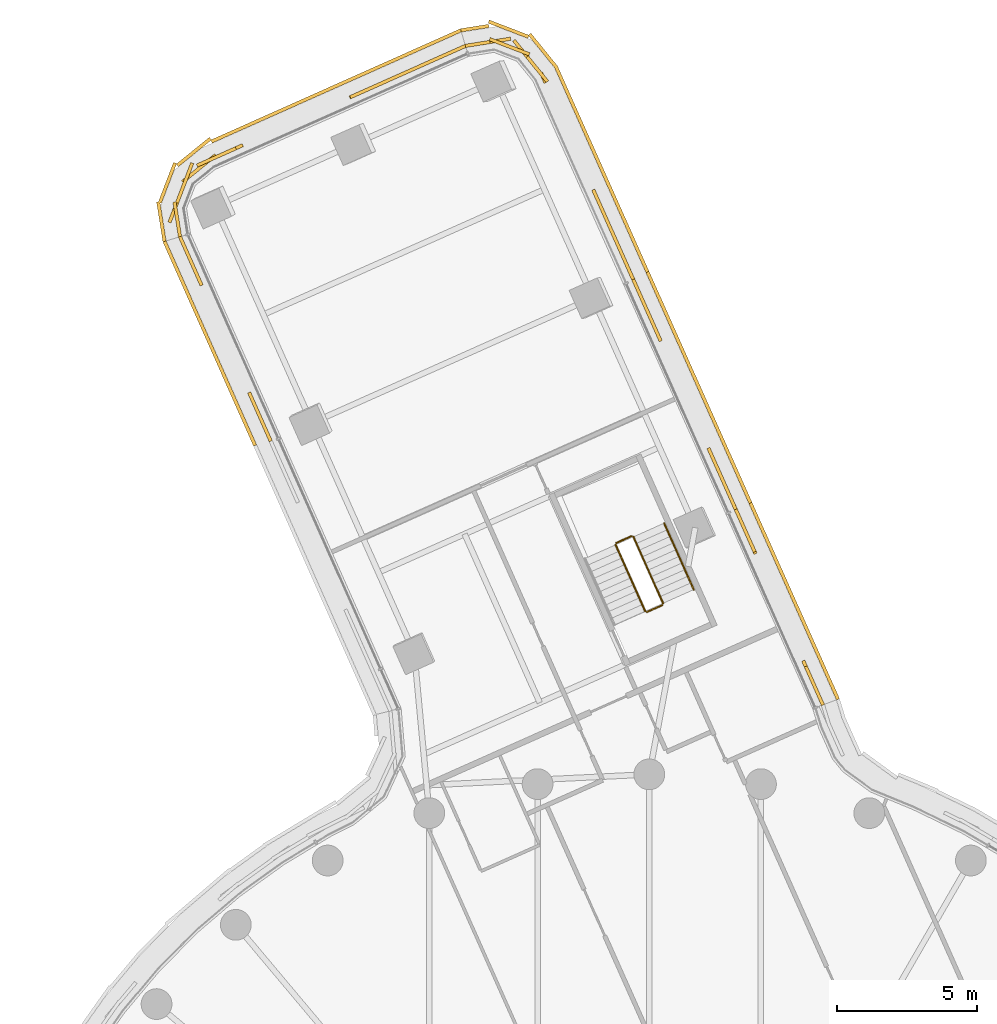
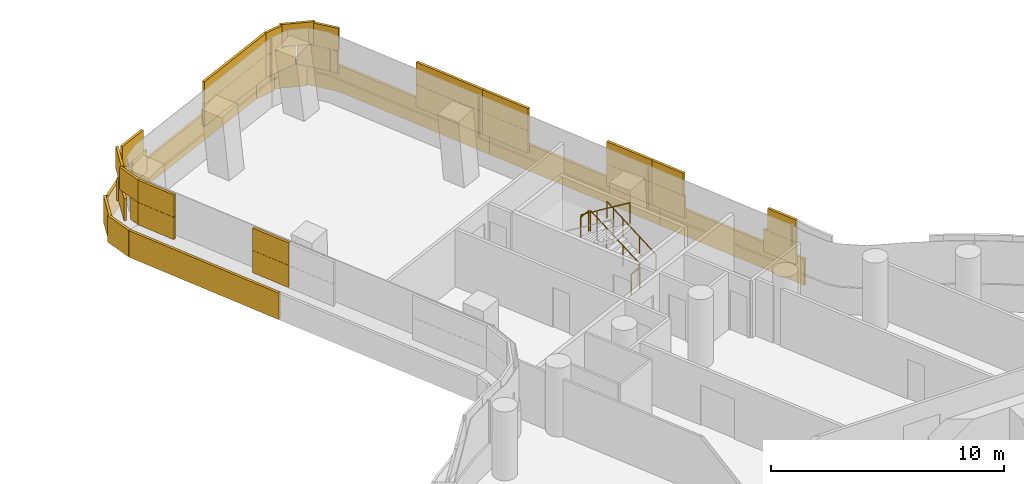
# One storey, part 34 of 35: 5 coverings, 5 railings.
"""IFC4 building model written with IfcOpenShell, lengths in metres."""

from ifc_helpers import new_model, si_unit, direction, frame, origin, origin_2d, place, context, subcontext, project, spatial, rectangle, circle, extrude, material, layer, layer_set, type_object, element, save


model = new_model("IFC4")

# Units and contexts
model_context = context("Model", 3, precision=1e-05, world=origin(), true_north=direction((0.0, 1.0)))
body_context = subcontext(model_context, "Body", "Model", "MODEL_VIEW")
ifc_project = project(units=[si_unit("LENGTHUNIT", "METRE"), si_unit("AREAUNIT", "SQUARE_METRE"), si_unit("VOLUMEUNIT", "CUBIC_METRE"), si_unit("PLANEANGLEUNIT", "RADIAN"), si_unit("MASSUNIT", "GRAM", prefix="KILO")], contexts=[model_context])

# Site, building, storey
site_placement = place(None, origin())
site = spatial("IfcSite", under=ifc_project, at=site_placement, CompositionType="ELEMENT")
building_placement = place(site_placement, origin())
building = spatial("IfcBuilding", under=site, at=building_placement, Name="Tamarind Cross Interchange Tower", CompositionType="ELEMENT")
storey_placement = place(building_placement, frame((0.0, 0.0, 121.0)))
storey = spatial("IfcBuildingStorey", under=building, at=storey_placement, Name="L29", CompositionType="ELEMENT", Elevation=121.0)

# Railings
ifc_material_1 = material(Name="Stair guard")
railing_type_1 = type_object("IfcRailingType", Name="Stair guard", PredefinedType="GUARDRAIL", material=ifc_material_1)
railing_1_placement = place(storey_placement, frame((0.494140625, 29.1181640625, 0.17041015625)))
element("IfcRailing", 1, at=railing_1_placement, inside=storey, type_object=railing_type_1, Name="L29 ST4 stair guard 1", PredefinedType="GUARDRAIL", context=body_context, shape_type="SweptSolid", body=[
    extrude(circle(Radius=0.02392578125, at=origin_2d()), frame((0.0, 0.0, 1.076171875), z_axis=(-0.340565711591, 0.763818924751, 0.548266036045), x_axis=(-0.913326899463, -0.407227178264, 0.0)), (0.0, 0.0, 1.0), 3.109130859375),
    extrude(circle(Radius=0.02099609375, at=origin_2d()), origin(), (0.0, 0.0, 1.0), 1.052001953125),
    extrude(circle(Radius=0.02099609375, at=origin_2d()), frame((-0.35302734375, 0.79150390625, 0.568115234375)), (0.0, 0.0, 1.0), 1.052001953125),
    extrude(circle(Radius=0.02099609375, at=origin_2d()), frame((-0.705810546875, 1.583251953125, 1.136474609375)), (0.0, 0.0, 1.0), 1.052001953125),
    extrude(circle(Radius=0.02099609375, at=origin_2d()), frame((-1.058837890625, 2.374755859375, 1.70458984375)), (0.0, 0.0, 1.0), 1.052001953125),
])
railing_2_placement = place(storey_placement, frame((-0.630615234375, 31.51806640625, 1.875)))
element("IfcRailing", 2, at=railing_2_placement, inside=storey, type_object=railing_type_1, Name="L29 ST4 stair guard 2", PredefinedType="GUARDRAIL", context=body_context, shape_type="SweptSolid", body=[
    extrude(circle(Radius=0.02392578125, at=origin_2d()), frame((0.0, 0.0, 1.076171875), z_axis=(-0.913324379404, -0.407232830193, 0.0), x_axis=(0.407232830193, -0.913324379404, 0.0)), (0.0, 0.0, 1.0), 0.60009765625),
    extrude(circle(Radius=0.02099609375, at=origin_2d()), origin(), (0.0, 0.0, 1.0), 1.052001953125),
    extrude(circle(Radius=0.02099609375, at=origin_2d()), frame((-0.548095703125, -0.244384765625, 0.0)), (0.0, 0.0, 1.0), 1.052001953125),
])
railing_3_placement = place(storey_placement, frame((-1.203857421875, 31.207763671875, 2.04541015625)))
element("IfcRailing", 3, at=railing_3_placement, inside=storey, type_object=railing_type_1, Name="L29 ST4 stair guard 3", PredefinedType="GUARDRAIL", context=body_context, shape_type="SweptSolid", body=[
    extrude(circle(Radius=0.02392578125, at=origin_2d()), frame((0.0, 0.0, 1.076171875), z_axis=(0.340496290961, -0.763839350133, 0.548280697299), x_axis=(0.913361820343, 0.407148848875, 0.0)), (0.0, 0.0, 1.0), 3.10888671875),
    extrude(circle(Radius=0.02099609375, at=origin_2d()), origin(), (0.0, 0.0, 1.0), 1.052001953125),
    extrude(circle(Radius=0.02099609375, at=origin_2d()), frame((0.352783203125, -0.79150390625, 0.568115234375)), (0.0, 0.0, 1.0), 1.052001953125),
    extrude(circle(Radius=0.02099609375, at=origin_2d()), frame((0.705810546875, -1.583251953125, 1.136474609375)), (0.0, 0.0, 1.0), 1.052001953125),
    extrude(circle(Radius=0.02099609375, at=origin_2d()), frame((1.05859375, -2.374755859375, 1.70458984375)), (0.0, 0.0, 1.0), 1.052001953125),
])
railing_4_placement = place(storey_placement, frame((0.46875, 29.05224609375, 0.0)))
element("IfcRailing", 4, at=railing_4_placement, inside=storey, type_object=railing_type_1, Name="L29 ST4 stair guard 4", PredefinedType="GUARDRAIL", context=body_context, shape_type="SweptSolid", body=[
    extrude(circle(Radius=0.02392578125, at=origin_2d()), frame((0.0, 0.0, 1.076171875), z_axis=(-0.913256874337, -0.407384193945, 0.0), x_axis=(0.407384193945, -0.913256874337, 0.0)), (0.0, 0.0, 1.0), 0.599853515625),
    extrude(circle(Radius=0.02099609375, at=origin_2d()), origin(), (0.0, 0.0, 1.0), 1.052001953125),
    extrude(circle(Radius=0.02099609375, at=origin_2d()), frame((-0.5478515625, -0.244384765625, 0.0)), (0.0, 0.0, 1.0), 1.052001953125),
])
ifc_material_2 = material(Name="Stair handrail")
railing_type_2 = type_object("IfcRailingType", Name="Stair handrail", PredefinedType="HANDRAIL", material=ifc_material_2)
railing_5_placement = place(storey_placement, frame((1.590087890625, 29.60693359375, 0.17041015625)))
element("IfcRailing", 5, at=railing_5_placement, inside=storey, type_object=railing_type_2, Name="L29 ST4 stair handrail 1", PredefinedType="HANDRAIL", context=body_context, shape_type="SweptSolid", body=[
    extrude(circle(Radius=0.02392578125, at=origin_2d()), frame((0.0, 0.0, 0.8759765625), z_axis=(-0.340516715594, 0.763806636502, 0.548313585858), x_axis=(-0.913346252579, -0.407183770428, 0.0)), (0.0, 0.0, 1.0), 3.10888671875),
    extrude(circle(Radius=0.02099609375, at=origin_2d()), origin(), (0.0, 0.0, 1.0), 0.851806640625),
    extrude(circle(Radius=0.02099609375, at=origin_2d()), frame((-0.352783203125, 0.79150390625, 0.568115234375)), (0.0, 0.0, 1.0), 0.851806640625),
    extrude(circle(Radius=0.02099609375, at=origin_2d()), frame((-0.705810546875, 1.5830078125, 1.136474609375)), (0.0, 0.0, 1.0), 0.851806640625),
    extrude(circle(Radius=0.02099609375, at=origin_2d()), frame((-1.05859375, 2.37451171875, 1.70458984375)), (0.0, 0.0, 1.0), 0.851806640625),
])

# Coverings
ifc_material_3 = material(Name="Terracotta", Category="masonry")
ifc_layer = layer(ifc_material_3, 0.1201171875)
ifc_layer_set = layer_set([ifc_layer], Name="Terracotta")
covering_type = type_object("IfcCoveringType", Name="Terracotta baguette screen unit", PredefinedType="MOLDING", material=ifc_layer_set)
covering_1_placement = place(storey_placement, origin())
element("IfcCovering", 6, at=covering_1_placement, inside=storey, type_object=covering_type, Name="SCR-L29-11-00", PredefinedType="MOLDING", context=body_context, shape_type="SweptSolid", body=[
    extrude(rectangle(XDim=0.760009765625, YDim=0.1201171875, at=origin_2d()), frame((6.056884765625, 25.825927734375, 1.404052734375), z_axis=(0.0, 0.0, 1.0), x_axis=(-0.407221294835, 0.913329522698, 0.0)), (0.0, 0.0, 1.0), 1.1669921875),
    extrude(rectangle(XDim=0.983642578125, YDim=0.1201171875, at=origin_2d()), frame((5.7060546875, 26.613037109375, 1.404052734375), z_axis=(0.0, 0.0, 1.0), x_axis=(-0.407221294835, 0.913329522698, 0.0)), (0.0, 0.0, 1.0), 1.1669921875),
    extrude(rectangle(XDim=0.83642578125, YDim=0.1201171875, at=origin_2d()), frame((3.629150390625, 31.27099609375, 1.404052734375), z_axis=(0.0, 0.0, 1.0), x_axis=(-0.407221294835, 0.913329522698, 0.0)), (0.0, 0.0, 1.0), 1.1669921875),
    extrude(rectangle(XDim=0.906982421875, YDim=0.1201171875, at=origin_2d()), frame((3.2783203125, 32.05810546875, 1.404052734375), z_axis=(0.0, 0.0, 1.0), x_axis=(-0.407221294835, 0.913329522698, 0.0)), (0.0, 0.0, 1.0), 1.1669921875),
    extrude(rectangle(XDim=1.510009765625, YDim=0.1201171875, at=origin_2d()), frame((5.904296875, 26.16845703125, 2.5791015625), z_axis=(0.0, 0.0, 1.0), x_axis=(-0.407221294835, 0.913329522698, 0.0)), (0.0, 0.0, 1.0), 1.1669921875),
    extrude(rectangle(XDim=1.52001953125, YDim=0.1201171875, at=origin_2d()), frame((3.4609375, 31.6484375, 2.5791015625), z_axis=(0.0, 0.0, 1.0), x_axis=(-0.407221294835, 0.913329522698, 0.0)), (0.0, 0.0, 1.0), 1.1669921875),
    extrude(rectangle(XDim=0.156982421875, YDim=0.1201171875, at=origin_2d()), frame((3.12548828125, 32.400634765625, 2.5791015625), z_axis=(0.0, 0.0, 1.0), x_axis=(-0.407221294835, 0.913329522698, 0.0)), (0.0, 0.0, 1.0), 1.1669921875),
    extrude(rectangle(XDim=0.760009765625, YDim=0.1201171875, at=origin_2d()), frame((6.59326171875, 26.03271484375, 0.00390625), z_axis=(0.0, 0.0, 1.0), x_axis=(-0.407221294835, 0.913329522698, 0.0)), (0.0, 0.0, 1.0), 1.39208984375),
    extrude(rectangle(XDim=1.52001953125, YDim=0.1201171875, at=origin_2d()), frame((6.13720703125, 27.0556640625, 0.00390625), z_axis=(0.0, 0.0, 1.0), x_axis=(-0.407221294835, 0.913329522698, 0.0)), (0.0, 0.0, 1.0), 1.39208984375),
    extrude(rectangle(XDim=1.52001953125, YDim=0.1201171875, at=origin_2d()), frame((5.5263671875, 28.425537109375, 0.00390625), z_axis=(0.0, 0.0, 1.0), x_axis=(-0.407221294835, 0.913329522698, 0.0)), (0.0, 0.0, 1.0), 1.39208984375),
    extrude(rectangle(XDim=1.52001953125, YDim=0.1201171875, at=origin_2d()), frame((4.91552734375, 29.795654296875, 0.00390625), z_axis=(0.0, 0.0, 1.0), x_axis=(-0.407221294835, 0.913329522698, 0.0)), (0.0, 0.0, 1.0), 1.39208984375),
    extrude(rectangle(XDim=1.52001953125, YDim=0.1201171875, at=origin_2d()), frame((4.3046875, 31.16552734375, 0.00390625), z_axis=(0.0, 0.0, 1.0), x_axis=(-0.407221294835, 0.913329522698, 0.0)), (0.0, 0.0, 1.0), 1.39208984375),
    extrude(rectangle(XDim=0.941162109375, YDim=0.1201171875, at=origin_2d()), frame((3.811767578125, 32.271240234375, 0.00390625), z_axis=(0.0, 0.0, 1.0), x_axis=(-0.407221294835, 0.913329522698, 0.0)), (0.0, 0.0, 1.0), 1.39208984375),
])
covering_2_placement = place(storey_placement, origin())
element("IfcCovering", 7, at=covering_2_placement, inside=storey, type_object=covering_type, Name="SCR-L29-11-01", PredefinedType="MOLDING", context=body_context, shape_type="SweptSolid", body=[
    extrude(rectangle(XDim=0.613037109375, YDim=0.1201171875, at=origin_2d()), frame((2.972900390625, 32.7431640625, 1.404052734375), z_axis=(0.0, 0.0, 1.0), x_axis=(-0.407221294835, 0.913329522698, 0.0)), (0.0, 0.0, 1.0), 1.1669921875),
    extrude(rectangle(XDim=1.52001953125, YDim=0.1201171875, at=origin_2d()), frame((2.544677734375, 33.703369140625, 1.404052734375), z_axis=(0.0, 0.0, 1.0), x_axis=(-0.407221294835, 0.913329522698, 0.0)), (0.0, 0.0, 1.0), 1.1669921875),
    extrude(rectangle(XDim=0.310302734375, YDim=0.1201171875, at=origin_2d()), frame((2.17822265625, 34.525634765625, 1.404052734375), z_axis=(0.0, 0.0, 1.0), x_axis=(-0.407221294835, 0.913329522698, 0.0)), (0.0, 0.0, 1.0), 1.1669921875),
    extrude(rectangle(XDim=1.509765625, YDim=0.1201171875, at=origin_2d()), frame((0.101318359375, 39.18359375, 1.404052734375), z_axis=(0.0, 0.0, 1.0), x_axis=(-0.407221294835, 0.913329522698, 0.0)), (0.0, 0.0, 1.0), 1.1669921875),
    extrude(rectangle(XDim=0.913330078125, YDim=0.1201171875, at=origin_2d()), frame((-0.387939453125, 40.281005859375, 1.404052734375), z_axis=(0.0, 0.0, 1.0), x_axis=(-0.407221294835, 0.913329522698, 0.0)), (0.0, 0.0, 1.0), 1.1669921875),
    extrude(rectangle(XDim=1.363037109375, YDim=0.1201171875, at=origin_2d()), frame((2.820068359375, 33.085693359375, 2.5791015625), z_axis=(0.0, 0.0, 1.0), x_axis=(-0.407221294835, 0.913329522698, 0.0)), (0.0, 0.0, 1.0), 1.1669921875),
    extrude(rectangle(XDim=1.060302734375, YDim=0.1201171875, at=origin_2d()), frame((2.330810546875, 34.18310546875, 2.5791015625), z_axis=(0.0, 0.0, 1.0), x_axis=(-0.407221294835, 0.913329522698, 0.0)), (0.0, 0.0, 1.0), 1.1669921875),
    extrude(rectangle(XDim=0.759765625, YDim=0.1201171875, at=origin_2d()), frame((0.25390625, 38.841064453125, 2.5791015625), z_axis=(0.0, 0.0, 1.0), x_axis=(-0.407221294835, 0.913329522698, 0.0)), (0.0, 0.0, 1.0), 1.1669921875),
    extrude(rectangle(XDim=1.52001953125, YDim=0.1201171875, at=origin_2d()), frame((-0.2041015625, 39.868408203125, 2.5791015625), z_axis=(0.0, 0.0, 1.0), x_axis=(-0.407221294835, 0.913329522698, 0.0)), (0.0, 0.0, 1.0), 1.1669921875),
    extrude(rectangle(XDim=0.163330078125, YDim=0.1201171875, at=origin_2d()), frame((-0.540771484375, 40.62353515625, 2.5791015625), z_axis=(0.0, 0.0, 1.0), x_axis=(-0.407221294835, 0.913329522698, 0.0)), (0.0, 0.0, 1.0), 1.1669921875),
    extrude(rectangle(XDim=0.578857421875, YDim=0.1201171875, at=origin_2d()), frame((3.502197265625, 32.96533203125, 0.00390625), z_axis=(0.0, 0.0, 1.0), x_axis=(-0.407221294835, 0.913329522698, 0.0)), (0.0, 0.0, 1.0), 1.39208984375),
    extrude(rectangle(XDim=1.52001953125, YDim=0.1201171875, at=origin_2d()), frame((3.0830078125, 33.905517578125, 0.00390625), z_axis=(0.0, 0.0, 1.0), x_axis=(-0.407221294835, 0.913329522698, 0.0)), (0.0, 0.0, 1.0), 1.39208984375),
    extrude(rectangle(XDim=1.52001953125, YDim=0.1201171875, at=origin_2d()), frame((2.47216796875, 35.275634765625, 0.00390625), z_axis=(0.0, 0.0, 1.0), x_axis=(-0.407221294835, 0.913329522698, 0.0)), (0.0, 0.0, 1.0), 1.39208984375),
    extrude(rectangle(XDim=1.52001953125, YDim=0.1201171875, at=origin_2d()), frame((1.861328125, 36.6455078125, 0.00390625), z_axis=(0.0, 0.0, 1.0), x_axis=(-0.407221294835, 0.913329522698, 0.0)), (0.0, 0.0, 1.0), 1.39208984375),
    extrude(rectangle(XDim=1.52001953125, YDim=0.1201171875, at=origin_2d()), frame((1.25048828125, 38.015625, 0.00390625), z_axis=(0.0, 0.0, 1.0), x_axis=(-0.407221294835, 0.913329522698, 0.0)), (0.0, 0.0, 1.0), 1.39208984375),
    extrude(rectangle(XDim=1.52001953125, YDim=0.1201171875, at=origin_2d()), frame((0.6396484375, 39.385498046875, 0.00390625), z_axis=(0.0, 0.0, 1.0), x_axis=(-0.407221294835, 0.913329522698, 0.0)), (0.0, 0.0, 1.0), 1.39208984375),
    extrude(rectangle(XDim=0.98779296875, YDim=0.1201171875, at=origin_2d()), frame((0.13720703125, 40.512451171875, 0.00390625), z_axis=(0.0, 0.0, 1.0), x_axis=(-0.407221294835, 0.913329522698, 0.0)), (0.0, 0.0, 1.0), 1.39208984375),
])
covering_3_placement = place(storey_placement, origin())
element("IfcCovering", 8, at=covering_3_placement, inside=storey, type_object=covering_type, Name="SCR-L29-11-02", PredefinedType="MOLDING", context=body_context, shape_type="SweptSolid", body=[
    extrude(rectangle(XDim=0.606689453125, YDim=0.1201171875, at=origin_2d()), frame((-0.693359375, 40.9658203125, 1.404052734375), z_axis=(0.0, 0.0, 1.0), x_axis=(-0.407221294835, 0.913329522698, 0.0)), (0.0, 0.0, 1.0), 1.1669921875),
    extrude(rectangle(XDim=1.52001953125, YDim=0.1201171875, at=origin_2d()), frame((-1.120361328125, 41.92333984375, 1.404052734375), z_axis=(0.0, 0.0, 1.0), x_axis=(-0.407221294835, 0.913329522698, 0.0)), (0.0, 0.0, 1.0), 1.1669921875),
    extrude(rectangle(XDim=1.425048828125, YDim=0.1201171875, at=origin_2d()), frame((-1.7138671875, 43.254638671875, 1.404052734375), z_axis=(0.0, 0.0, 1.0), x_axis=(-0.407221294835, 0.913329522698, 0.0)), (0.0, 0.0, 1.0), 1.1669921875),
    extrude(rectangle(XDim=0.39501953125, YDim=0.1201171875, at=origin_2d()), frame((-3.790771484375, 47.91259765625, 1.404052734375), z_axis=(0.0, 0.0, 1.0), x_axis=(-0.407221294835, 0.913329522698, 0.0)), (0.0, 0.0, 1.0), 1.1669921875),
    extrude(rectangle(XDim=1.52001953125, YDim=0.1201171875, at=origin_2d()), frame((-4.363525390625, 48.657470703125, 1.404052734375), z_axis=(0.0, 0.0, 1.0), x_axis=(-0.629732640625, 0.776811947212, 0.0)), (0.0, 0.0, 1.0), 1.1669921875),
    extrude(rectangle(XDim=1.52001953125, YDim=0.1201171875, at=origin_2d()), frame((-5.707275390625, 49.186767578125, 1.404052734375), z_axis=(0.0, 0.0, 1.0), x_axis=(-0.987605200561, -0.156958490768, 0.0)), (0.0, 0.0, 1.0), 1.1669921875),
    extrude(rectangle(XDim=0.136474609375, YDim=0.1201171875, at=origin_2d()), frame((-6.510498046875, 49.05908203125, 1.404052734375), z_axis=(0.0, 0.0, 1.0), x_axis=(-0.987605200561, -0.156958490768, 0.0)), (0.0, 0.0, 1.0), 1.1669921875),
    extrude(rectangle(XDim=1.356689453125, YDim=0.1201171875, at=origin_2d()), frame((-0.84619140625, 41.308349609375, 2.5791015625), z_axis=(0.0, 0.0, 1.0), x_axis=(-0.407221294835, 0.913329522698, 0.0)), (0.0, 0.0, 1.0), 1.1669921875),
    extrude(rectangle(XDim=1.52001953125, YDim=0.1201171875, at=origin_2d()), frame((-1.42578125, 42.6083984375, 2.5791015625), z_axis=(0.0, 0.0, 1.0), x_axis=(-0.407221294835, 0.913329522698, 0.0)), (0.0, 0.0, 1.0), 1.1669921875),
    extrude(rectangle(XDim=0.675048828125, YDim=0.1201171875, at=origin_2d()), frame((-1.866455078125, 43.596923828125, 2.5791015625), z_axis=(0.0, 0.0, 1.0), x_axis=(-0.407221294835, 0.913329522698, 0.0)), (0.0, 0.0, 1.0), 1.1669921875),
    extrude(rectangle(XDim=1.14501953125, YDim=0.1201171875, at=origin_2d()), frame((-4.006103515625, 48.216552734375, 2.5791015625), z_axis=(0.0, 0.0, 1.0), x_axis=(-0.629732640625, 0.776811947212, 0.0)), (0.0, 0.0, 1.0), 1.1669921875),
    extrude(rectangle(XDim=1.52001953125, YDim=0.1201171875, at=origin_2d()), frame((-4.996337890625, 49.018798828125, 2.5791015625), z_axis=(0.0, 0.0, 1.0), x_axis=(-0.93377043798, 0.357872559936, 0.0)), (0.0, 0.0, 1.0), 1.1669921875),
    extrude(rectangle(XDim=0.886474609375, YDim=0.1201171875, at=origin_2d()), frame((-6.14013671875, 49.1181640625, 2.5791015625), z_axis=(0.0, 0.0, 1.0), x_axis=(-0.987605200561, -0.156958490768, 0.0)), (0.0, 0.0, 1.0), 1.1669921875),
    extrude(rectangle(XDim=0.5322265625, YDim=0.1201171875, at=origin_2d()), frame((-0.17236328125, 41.20654296875, 0.00390625), z_axis=(0.0, 0.0, 1.0), x_axis=(-0.407221294835, 0.913329522698, 0.0)), (0.0, 0.0, 1.0), 1.39208984375),
    extrude(rectangle(XDim=1.52001953125, YDim=0.1201171875, at=origin_2d()), frame((-0.58203125, 42.12548828125, 0.00390625), z_axis=(0.0, 0.0, 1.0), x_axis=(-0.407221294835, 0.913329522698, 0.0)), (0.0, 0.0, 1.0), 1.39208984375),
    extrude(rectangle(XDim=1.52001953125, YDim=0.1201171875, at=origin_2d()), frame((-1.19287109375, 43.49560546875, 0.00390625), z_axis=(0.0, 0.0, 1.0), x_axis=(-0.407221294835, 0.913329522698, 0.0)), (0.0, 0.0, 1.0), 1.39208984375),
    extrude(rectangle(XDim=1.52001953125, YDim=0.1201171875, at=origin_2d()), frame((-1.8037109375, 44.865478515625, 0.00390625), z_axis=(0.0, 0.0, 1.0), x_axis=(-0.407221294835, 0.913329522698, 0.0)), (0.0, 0.0, 1.0), 1.39208984375),
    extrude(rectangle(XDim=1.52001953125, YDim=0.1201171875, at=origin_2d()), frame((-2.41455078125, 46.235595703125, 0.00390625), z_axis=(0.0, 0.0, 1.0), x_axis=(-0.407221294835, 0.913329522698, 0.0)), (0.0, 0.0, 1.0), 1.39208984375),
    extrude(rectangle(XDim=1.52001953125, YDim=0.1201171875, at=origin_2d()), frame((-3.025390625, 47.60546875, 0.00390625), z_axis=(0.0, 0.0, 1.0), x_axis=(-0.407221294835, 0.913329522698, 0.0)), (0.0, 0.0, 1.0), 1.39208984375),
    extrude(rectangle(XDim=1.52001953125, YDim=0.1201171875, at=origin_2d()), frame((-3.800537109375, 48.87451171875, 0.00390625), z_axis=(0.0, 0.0, 1.0), x_axis=(-0.629732640625, 0.776811947212, 0.0)), (0.0, 0.0, 1.0), 1.39208984375),
    extrude(rectangle(XDim=1.52001953125, YDim=0.1201171875, at=origin_2d()), frame((-5.03076171875, 49.646484375, 0.00390625), z_axis=(0.0, 0.0, 1.0), x_axis=(-0.93377043798, 0.357872559936, 0.0)), (0.0, 0.0, 1.0), 1.39208984375),
    extrude(rectangle(XDim=1.012939453125, YDim=0.1201171875, at=origin_2d()), frame((-6.2373046875, 49.683837890625, 0.00390625), z_axis=(0.0, 0.0, 1.0), x_axis=(-0.987605200561, -0.156958490768, 0.0)), (0.0, 0.0, 1.0), 1.39208984375),
])
covering_4_placement = place(storey_placement, origin())
element("IfcCovering", 9, at=covering_4_placement, inside=storey, type_object=covering_type, Name="SCR-L29-12-00", PredefinedType="MOLDING", context=body_context, shape_type="SweptSolid", body=[
    extrude(rectangle(XDim=0.760009765625, YDim=0.1201171875, at=origin_2d()), frame((-6.915283203125, 48.896484375, 1.404052734375), z_axis=(0.0, 0.0, 1.0), x_axis=(-0.913329522698, -0.407221294835, 0.0)), (0.0, 0.0, 1.0), 1.1669921875),
    extrude(rectangle(XDim=1.52001953125, YDim=0.1201171875, at=origin_2d()), frame((-7.94287109375, 48.4384765625, 1.404052734375), z_axis=(0.0, 0.0, 1.0), x_axis=(-0.913329522698, -0.407221294835, 0.0)), (0.0, 0.0, 1.0), 1.1669921875),
    extrude(rectangle(XDim=1.52001953125, YDim=0.1201171875, at=origin_2d()), frame((-9.312744140625, 47.82763671875, 1.404052734375), z_axis=(0.0, 0.0, 1.0), x_axis=(-0.913329522698, -0.407221294835, 0.0)), (0.0, 0.0, 1.0), 1.1669921875),
    extrude(rectangle(XDim=0.784912109375, YDim=0.1201171875, at=origin_2d()), frame((-10.3515625, 47.364501953125, 1.404052734375), z_axis=(0.0, 0.0, 1.0), x_axis=(-0.913329522698, -0.407221294835, 0.0)), (0.0, 0.0, 1.0), 1.1669921875),
    extrude(rectangle(XDim=1.03515625, YDim=0.1201171875, at=origin_2d()), frame((-15.009765625, 45.28759765625, 1.404052734375), z_axis=(0.0, 0.0, 1.0), x_axis=(-0.913329522698, -0.407221294835, 0.0)), (0.0, 0.0, 1.0), 1.1669921875),
    extrude(rectangle(XDim=1.52001953125, YDim=0.1201171875, at=origin_2d()), frame((-16.097900390625, 44.66748046875, 1.404052734375), z_axis=(0.0, 0.0, 1.0), x_axis=(-0.776811947212, -0.629732640625, 0.0)), (0.0, 0.0, 1.0), 1.1669921875),
    extrude(rectangle(XDim=1.52001953125, YDim=0.1201171875, at=origin_2d()), frame((-16.8837890625, 43.44775390625, 1.404052734375), z_axis=(0.0, 0.0, 1.0), x_axis=(-0.357872559936, -0.93377043798, 0.0)), (0.0, 0.0, 1.0), 1.1669921875),
    extrude(rectangle(XDim=0.509521484375, YDim=0.1201171875, at=origin_2d()), frame((-16.81884765625, 42.469970703125, 1.404052734375), z_axis=(0.0, 0.0, 1.0), x_axis=(0.156958490768, -0.987605200561, 0.0)), (0.0, 0.0, 1.0), 1.1669921875),
    extrude(rectangle(XDim=1.510009765625, YDim=0.1201171875, at=origin_2d()), frame((-7.2578125, 48.743896484375, 2.5791015625), z_axis=(0.0, 0.0, 1.0), x_axis=(-0.913329522698, -0.407221294835, 0.0)), (0.0, 0.0, 1.0), 1.1669921875),
    extrude(rectangle(XDim=1.52001953125, YDim=0.1201171875, at=origin_2d()), frame((-8.6279296875, 48.133056640625, 2.5791015625), z_axis=(0.0, 0.0, 1.0), x_axis=(-0.913329522698, -0.407221294835, 0.0)), (0.0, 0.0, 1.0), 1.1669921875),
    extrude(rectangle(XDim=1.52001953125, YDim=0.1201171875, at=origin_2d()), frame((-9.997802734375, 47.522216796875, 2.5791015625), z_axis=(0.0, 0.0, 1.0), x_axis=(-0.913329522698, -0.407221294835, 0.0)), (0.0, 0.0, 1.0), 1.1669921875),
    extrude(rectangle(XDim=1.52001953125, YDim=0.1201171875, at=origin_2d()), frame((-15.477783203125, 45.078857421875, 2.5791015625), z_axis=(0.0, 0.0, 1.0), x_axis=(-0.913329522698, -0.407221294835, 0.0)), (0.0, 0.0, 1.0), 1.1669921875),
    extrude(rectangle(XDim=1.52001953125, YDim=0.1201171875, at=origin_2d()), frame((-16.615478515625, 44.14794921875, 2.5791015625), z_axis=(0.0, 0.0, 1.0), x_axis=(-0.357872559936, -0.93377043798, 0.0)), (0.0, 0.0, 1.0), 1.1669921875),
    extrude(rectangle(XDim=1.259521484375, YDim=0.1201171875, at=origin_2d()), frame((-16.877685546875, 42.84033203125, 2.5791015625), z_axis=(0.0, 0.0, 1.0), x_axis=(0.156958490768, -0.987605200561, 0.0)), (0.0, 0.0, 1.0), 1.1669921875),
    extrude(rectangle(XDim=0.760009765625, YDim=0.1201171875, at=origin_2d()), frame((-7.084716796875, 49.449462890625, 0.00390625), z_axis=(0.0, 0.0, 1.0), x_axis=(-0.913329522698, -0.407221294835, 0.0)), (0.0, 0.0, 1.0), 1.39208984375),
    extrude(rectangle(XDim=1.52001953125, YDim=0.1201171875, at=origin_2d()), frame((-8.107666015625, 48.993408203125, 0.00390625), z_axis=(0.0, 0.0, 1.0), x_axis=(-0.913329522698, -0.407221294835, 0.0)), (0.0, 0.0, 1.0), 1.39208984375),
    extrude(rectangle(XDim=1.52001953125, YDim=0.1201171875, at=origin_2d()), frame((-9.4775390625, 48.382568359375, 0.00390625), z_axis=(0.0, 0.0, 1.0), x_axis=(-0.913329522698, -0.407221294835, 0.0)), (0.0, 0.0, 1.0), 1.39208984375),
    extrude(rectangle(XDim=1.52001953125, YDim=0.1201171875, at=origin_2d()), frame((-10.84765625, 47.771728515625, 0.00390625), z_axis=(0.0, 0.0, 1.0), x_axis=(-0.913329522698, -0.407221294835, 0.0)), (0.0, 0.0, 1.0), 1.39208984375),
    extrude(rectangle(XDim=1.52001953125, YDim=0.1201171875, at=origin_2d()), frame((-12.217529296875, 47.160888671875, 0.00390625), z_axis=(0.0, 0.0, 1.0), x_axis=(-0.913329522698, -0.407221294835, 0.0)), (0.0, 0.0, 1.0), 1.39208984375),
    extrude(rectangle(XDim=1.52001953125, YDim=0.1201171875, at=origin_2d()), frame((-13.587646484375, 46.550048828125, 0.00390625), z_axis=(0.0, 0.0, 1.0), x_axis=(-0.913329522698, -0.407221294835, 0.0)), (0.0, 0.0, 1.0), 1.39208984375),
    extrude(rectangle(XDim=1.52001953125, YDim=0.1201171875, at=origin_2d()), frame((-14.95751953125, 45.939208984375, 0.00390625), z_axis=(0.0, 0.0, 1.0), x_axis=(-0.913329522698, -0.407221294835, 0.0)), (0.0, 0.0, 1.0), 1.39208984375),
    extrude(rectangle(XDim=1.52001953125, YDim=0.1201171875, at=origin_2d()), frame((-16.283203125, 45.256103515625, 0.00390625), z_axis=(0.0, 0.0, 1.0), x_axis=(-0.776811947212, -0.629732640625, 0.0)), (0.0, 0.0, 1.0), 1.39208984375),
    extrude(rectangle(XDim=1.52001953125, YDim=0.1201171875, at=origin_2d()), frame((-17.228515625, 44.152099609375, 0.00390625), z_axis=(0.0, 0.0, 1.0), x_axis=(-0.357872559936, -0.93377043798, 0.0)), (0.0, 0.0, 1.0), 1.39208984375),
    extrude(rectangle(XDim=1.426513671875, YDim=0.1201171875, at=origin_2d()), frame((-17.446533203125, 42.763427734375, 0.00390625), z_axis=(0.0, 0.0, 1.0), x_axis=(0.156958490768, -0.987605200561, 0.0)), (0.0, 0.0, 1.0), 1.39208984375),
])
covering_5_placement = place(storey_placement, origin())
element("IfcCovering", 10, at=covering_5_placement, inside=storey, type_object=covering_type, Name="SCR-L29-13-00", PredefinedType="MOLDING", context=body_context, shape_type="SweptSolid", body=[
    extrude(rectangle(XDim=0.760009765625, YDim=0.1201171875, at=origin_2d()), frame((-16.62744140625, 41.88037109375, 1.404052734375), z_axis=(0.0, 0.0, 1.0), x_axis=(0.40562364305, -0.914040185221, 0.0)), (0.0, 0.0, 1.0), 1.1669921875),
    extrude(rectangle(XDim=1.155029296875, YDim=0.1201171875, at=origin_2d()), frame((-16.2431640625, 41.014404296875, 1.404052734375), z_axis=(0.0, 0.0, 1.0), x_axis=(0.40562364305, -0.914040185221, 0.0)), (0.0, 0.0, 1.0), 1.1669921875),
    extrude(rectangle(XDim=0.6650390625, YDim=0.1201171875, at=origin_2d()), frame((-14.174560546875, 36.352783203125, 1.404052734375), z_axis=(0.0, 0.0, 1.0), x_axis=(0.40562364305, -0.914040185221, 0.0)), (0.0, 0.0, 1.0), 1.1669921875),
    extrude(rectangle(XDim=1.25, YDim=0.1201171875, at=origin_2d()), frame((-13.7900390625, 35.486572265625, 1.404052734375), z_axis=(0.0, 0.0, 1.0), x_axis=(0.40562364305, -0.914040185221, 0.0)), (0.0, 0.0, 1.0), 1.1669921875),
    extrude(rectangle(XDim=1.510009765625, YDim=0.1201171875, at=origin_2d()), frame((-16.475341796875, 41.53759765625, 2.5791015625), z_axis=(0.0, 0.0, 1.0), x_axis=(0.40562364305, -0.914040185221, 0.0)), (0.0, 0.0, 1.0), 1.1669921875),
    extrude(rectangle(XDim=0.405029296875, YDim=0.1201171875, at=origin_2d()), frame((-16.091064453125, 40.671630859375, 2.5791015625), z_axis=(0.0, 0.0, 1.0), x_axis=(0.40562364305, -0.914040185221, 0.0)), (0.0, 0.0, 1.0), 1.1669921875),
    extrude(rectangle(XDim=1.4150390625, YDim=0.1201171875, at=origin_2d()), frame((-14.0224609375, 36.010009765625, 2.5791015625), z_axis=(0.0, 0.0, 1.0), x_axis=(0.40562364305, -0.914040185221, 0.0)), (0.0, 0.0, 1.0), 1.1669921875),
    extrude(rectangle(XDim=0.5, YDim=0.1201171875, at=origin_2d()), frame((-13.637939453125, 35.143798828125, 2.5791015625), z_axis=(0.0, 0.0, 1.0), x_axis=(0.40562364305, -0.914040185221, 0.0)), (0.0, 0.0, 1.0), 1.1669921875),
    extrude(rectangle(XDim=0.760009765625, YDim=0.1201171875, at=origin_2d()), frame((-17.1806640625, 41.711669921875, 0.00390625), z_axis=(0.0, 0.0, 1.0), x_axis=(0.40562364305, -0.914040185221, 0.0)), (0.0, 0.0, 1.0), 1.39208984375),
    extrude(rectangle(XDim=1.52001953125, YDim=0.1201171875, at=origin_2d()), frame((-16.726318359375, 40.68798828125, 0.00390625), z_axis=(0.0, 0.0, 1.0), x_axis=(0.40562364305, -0.914040185221, 0.0)), (0.0, 0.0, 1.0), 1.39208984375),
    extrude(rectangle(XDim=1.52001953125, YDim=0.1201171875, at=origin_2d()), frame((-16.117919921875, 39.31689453125, 0.00390625), z_axis=(0.0, 0.0, 1.0), x_axis=(0.40562364305, -0.914040185221, 0.0)), (0.0, 0.0, 1.0), 1.39208984375),
    extrude(rectangle(XDim=1.52001953125, YDim=0.1201171875, at=origin_2d()), frame((-15.50927734375, 37.94580078125, 0.00390625), z_axis=(0.0, 0.0, 1.0), x_axis=(0.40562364305, -0.914040185221, 0.0)), (0.0, 0.0, 1.0), 1.39208984375),
    extrude(rectangle(XDim=1.52001953125, YDim=0.1201171875, at=origin_2d()), frame((-14.90087890625, 36.57470703125, 0.00390625), z_axis=(0.0, 0.0, 1.0), x_axis=(0.40562364305, -0.914040185221, 0.0)), (0.0, 0.0, 1.0), 1.39208984375),
    extrude(rectangle(XDim=1.240966796875, YDim=0.1201171875, at=origin_2d()), frame((-14.34912109375, 35.3310546875, 0.00390625), z_axis=(0.0, 0.0, 1.0), x_axis=(0.40562364305, -0.914040185221, 0.0)), (0.0, 0.0, 1.0), 1.39208984375),
])

save(model, "model.ifc")
